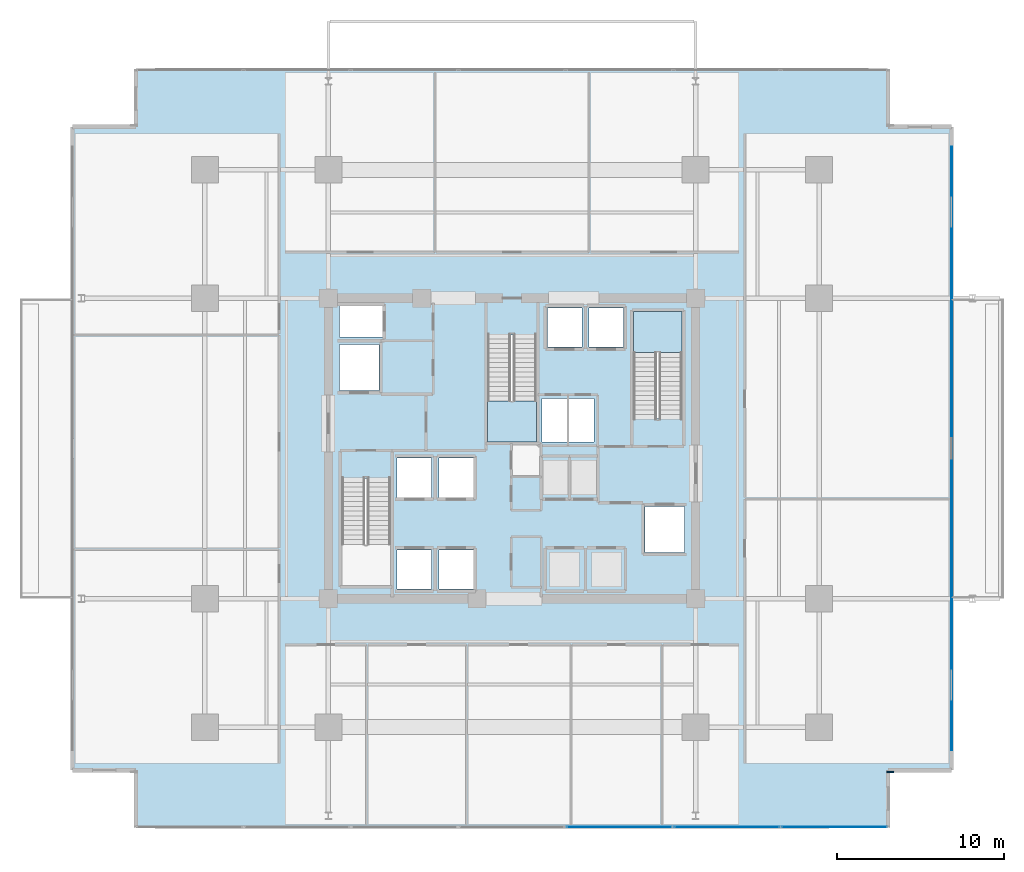
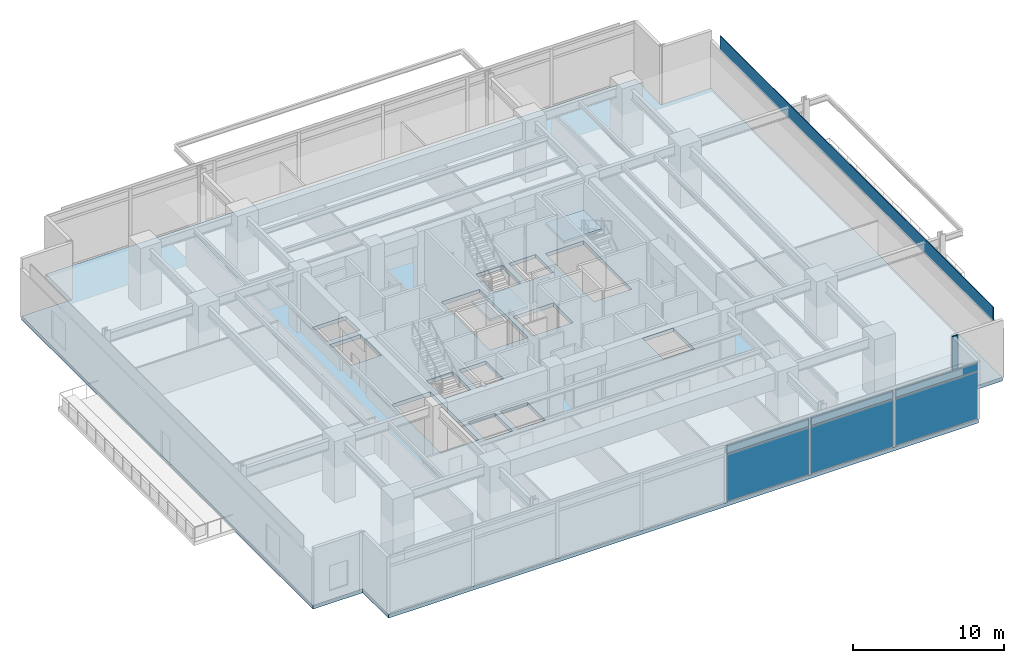
# One storey, part 14 of 24: 8 plates, 3 slabs, 3 elements without a shape of their own.
"""IFC4 building model written with IfcOpenShell, lengths in metres."""

import ifcopenshell
import ifcopenshell.guid

model = None  # the IFC model being written
_history = None  # IfcOwnerHistory: only IFC2X3 demands one
_inside = {}  # id of a spatial element -> (the spatial element, [elements in it])
_under = {}  # id of a project, library or spatial element -> (it, [spatial elements below it])
_declared = {}  # id of a project -> (the project, [libraries it declares])
_typed = {}  # id of a type object -> (the type object, [elements of that type])
_made_of = {}  # id of a material, layer set ... -> (it, [elements and type objects made of it])


def new_model(schema):
    """Start an empty IFC model of exactly this schema.

    Asked for "IFC4X3", IfcOpenShell would pick the latest addendum, in which some entities
    have other attributes; the version numbers below select the first issue.
    IFC2X3 requires an IfcOwnerHistory on every rooted entity: one is made here for all.
    """
    global model, _history
    if schema == "IFC4X3":
        model = ifcopenshell.file(schema_version=(4, 3, 0, 0))
    else:
        model = ifcopenshell.file(schema=schema)
    _inside.clear()
    _under.clear()
    _declared.clear()
    _typed.clear()
    _made_of.clear()
    _history = None
    if model.schema == "IFC2X3":
        org = make("IfcOrganization", Name="unknown")
        user = make(
            "IfcPersonAndOrganization",
            ThePerson=make("IfcPerson", FamilyName="unknown"),
            TheOrganization=org,
        )
        app = make(
            "IfcApplication",
            ApplicationDeveloper=org,
            Version="unknown",
            ApplicationFullName="unknown",
            ApplicationIdentifier="unknown",
        )
        _history = make(
            "IfcOwnerHistory",
            OwningUser=user,
            OwningApplication=app,
            ChangeAction="ADDED",
            CreationDate=0,
        )
    return model


def make(cls, **values):
    """One entity of the class cls with the attributes given. An attribute that is None is left unset."""
    return model.create_entity(
        cls, **{name: value for name, value in values.items() if value is not None}
    )


def rooted(cls, **values):
    """An entity with a GlobalId (a new one), such as an element, a storey or a relation."""
    return make(cls, GlobalId=ifcopenshell.guid.new(), OwnerHistory=_history, **values)


def si_unit(unit_type, name, prefix=None):
    """IfcSIUnit, for example si_unit("LENGTHUNIT", "METRE", prefix="MILLI")."""
    return make("IfcSIUnit", UnitType=unit_type, Prefix=prefix, Name=name)


def assignment(units):
    """IfcUnitAssignment: the units of a project."""
    return None if units is None else make("IfcUnitAssignment", Units=units)


def point(xyz):
    """IfcCartesianPoint."""
    return None if xyz is None else make("IfcCartesianPoint", Coordinates=xyz)


def direction(xyz):
    """IfcDirection."""
    return None if xyz is None else make("IfcDirection", DirectionRatios=xyz)


def frame(location, z_axis=None, x_axis=None):
    """IfcAxis2Placement3D, a coordinate frame: its origin and axes. An axis left out is left unset."""
    return make(
        "IfcAxis2Placement3D",
        Location=point(location),
        Axis=direction(z_axis),
        RefDirection=direction(x_axis),
    )


def frame_2d(location, x_axis=None):
    """IfcAxis2Placement2D, a coordinate frame in the plane: its origin and x axis."""
    return make(
        "IfcAxis2Placement2D", Location=point(location), RefDirection=direction(x_axis)
    )


def origin():
    """The frame at (0, 0, 0) with its axes left unset."""
    return frame((0.0, 0.0, 0.0))


def origin_2d():
    """The frame at (0, 0) in the plane with its x axis left unset."""
    return frame_2d((0.0, 0.0))


def place(relative_to, where):
    """IfcLocalPlacement: puts the frame where relative to a parent placement (None: the world)."""
    return make(
        "IfcLocalPlacement", PlacementRelTo=relative_to, RelativePlacement=where
    )


def context(
    kind, dimensions, precision=None, world=None, true_north=None, identifier=None
):
    """IfcGeometricRepresentationContext, for example the 3D "Model" context."""
    return make(
        "IfcGeometricRepresentationContext",
        ContextIdentifier=identifier,
        ContextType=kind,
        CoordinateSpaceDimension=dimensions,
        Precision=precision,
        WorldCoordinateSystem=world,
        TrueNorth=true_north,
    )


def subcontext(parent, identifier, kind, view, scale=None):
    """IfcGeometricRepresentationSubContext, for example "Body" below "Model"."""
    return make(
        "IfcGeometricRepresentationSubContext",
        ContextIdentifier=identifier,
        ContextType=kind,
        ParentContext=parent,
        TargetScale=scale,
        TargetView=view,
    )


def project(units=None, contexts=None):
    """IfcProject with its units and contexts."""
    return rooted(
        "IfcProject",
        Name="project",
        RepresentationContexts=contexts,
        UnitsInContext=assignment(units),
    )


def spatial(cls, under=None, at=None, **own):
    """A site, building, storey or space (cls), placed at a placement, below another one or the project."""
    s = rooted(cls, ObjectPlacement=at, **own)
    if under is not None:
        _under.setdefault(under.id(), (under, []))[1].append(s)
    return s


def polyline(points):
    """IfcPolyline through the points."""
    return make("IfcPolyline", Points=[point(p) for p in points])


def profile(cls, at=None, kind="AREA", **sizes):
    """A parametric profile (cls). Its sizes go by their IFC names, for example OverallWidth=200.0."""
    return make(cls, ProfileType=kind, Position=at, **sizes)


def rectangle(**sizes):
    """IfcRectangleProfileDef."""
    return profile("IfcRectangleProfileDef", **sizes)


def outline(outer, holes=None, kind="AREA"):
    """IfcArbitraryClosedProfileDef: a profile drawn as a closed curve; with holes, ...WithVoids."""
    if holes is None:
        return make("IfcArbitraryClosedProfileDef", ProfileType=kind, OuterCurve=outer)
    return make(
        "IfcArbitraryProfileDefWithVoids",
        ProfileType=kind,
        OuterCurve=outer,
        InnerCurves=holes,
    )


def extrude(swept, where, along, depth):
    """IfcExtrudedAreaSolid: the profile swept, set in the frame where, extruded along a direction by depth."""
    return make(
        "IfcExtrudedAreaSolid",
        SweptArea=swept,
        Position=where,
        ExtrudedDirection=direction(along),
        Depth=depth,
    )


def shape(context_of_items, identifier, shape_type, items):
    """IfcShapeRepresentation: the items that make up one representation, for example the "Body"."""
    return make(
        "IfcShapeRepresentation",
        ContextOfItems=context_of_items,
        RepresentationIdentifier=identifier,
        RepresentationType=shape_type,
        Items=items,
    )


def material(Name=None, Category=None):
    """IfcMaterial."""
    return make("IfcMaterial", Name=Name, Category=Category)


def layer(
    of_material, thickness, ventilated=None, Name=None, Category=None, Priority=None
):
    """IfcMaterialLayer: one layer of a wall or slab, of a material (None: an air gap)."""
    return make(
        "IfcMaterialLayer",
        Material=of_material,
        LayerThickness=thickness,
        IsVentilated=ventilated,
        Name=Name,
        Category=Category,
        Priority=Priority,
    )


def layer_set(layers, Name=None):
    """IfcMaterialLayerSet."""
    return make("IfcMaterialLayerSet", MaterialLayers=layers, LayerSetName=Name)


def made_of(thing, what):
    """Note that an element or type object is made of a material, layer set ...; save() writes the relation."""
    if what is not None:
        _made_of.setdefault(what.id(), (what, []))[1].append(thing)
    return thing


def type_object(cls, material=None, **own):
    """A type object (cls), such as IfcWallType, which elements share."""
    return made_of(rooted(cls, **own), material)


def element(
    cls,
    number,
    at=None,
    inside=None,
    cuts=None,
    type_object=None,
    material=None,
    context=None,
    identifier="Body",
    shape_type=None,
    held_by="IfcProductDefinitionShape",
    body=None,
    shapes=None,
    **own,
):
    """One element of the class cls, such as IfcWall. Its Tag is "e" and its number.

    at: its placement. inside: the storey or other place that contains it. cuts: it is an
    opening in that element (IfcRelVoidsElement). A single representation is given by context,
    identifier, shape_type and body (its items); several are given by shapes. held_by: the class
    of the entity that holds the representations. save() writes the other relations.
    """
    e = rooted(cls, Tag="e%d" % number, ObjectPlacement=at, **own)
    if body is not None:
        shapes = [shape(context, identifier, shape_type, body)]
    if shapes is not None:
        e.Representation = make(held_by, Representations=shapes)
    if inside is not None:
        _inside.setdefault(inside.id(), (inside, []))[1].append(e)
    if cuts is not None:
        rooted(
            "IfcRelVoidsElement", RelatingBuildingElement=cuts, RelatedOpeningElement=e
        )
    if type_object is not None:
        _typed.setdefault(type_object.id(), (type_object, []))[1].append(e)
    return made_of(e, material)


def aggregate(whole, parts):
    """IfcRelAggregates: a whole, such as a stair, and the parts it consists of."""
    return rooted("IfcRelAggregates", RelatingObject=whole, RelatedObjects=parts)


def save(model, path):
    """Write the relations noted so far, then the file.

    IfcRelAggregates (storeys below a building ...), IfcRelContainedInSpatialStructure (elements
    in a storey), IfcRelDefinesByType, IfcRelAssociatesMaterial and IfcRelDeclares: one each for
    every whole, place, type object, material and project.
    """
    for whole, parts in _under.values():
        aggregate(whole, parts)
    for where, things in _inside.values():
        rooted(
            "IfcRelContainedInSpatialStructure",
            RelatedElements=things,
            RelatingStructure=where,
        )
    for kind, things in _typed.values():
        rooted("IfcRelDefinesByType", RelatedObjects=things, RelatingType=kind)
    for what, things in _made_of.values():
        rooted("IfcRelAssociatesMaterial", RelatedObjects=things, RelatingMaterial=what)
    for by, libraries in _declared.values():
        rooted("IfcRelDeclares", RelatingContext=by, RelatedDefinitions=libraries)
    model.write(path)


model = new_model("IFC4")

# Units and contexts
model_context = context("Model", 3, precision=1e-05, world=origin(), true_north=direction((0.0, 1.0)))
body_context = subcontext(model_context, "Body", "Model", "MODEL_VIEW")
ifc_project = project(units=[si_unit("LENGTHUNIT", "METRE"), si_unit("AREAUNIT", "SQUARE_METRE"), si_unit("VOLUMEUNIT", "CUBIC_METRE"), si_unit("PLANEANGLEUNIT", "RADIAN"), si_unit("MASSUNIT", "GRAM", prefix="KILO")], contexts=[model_context])

# Site, building, storey
site_placement = place(None, origin())
site = spatial("IfcSite", under=ifc_project, at=site_placement, CompositionType="ELEMENT")
building_placement = place(site_placement, origin())
building = spatial("IfcBuilding", under=site, at=building_placement, Name="Kovane Verandah Tower", CompositionType="ELEMENT")
storey_placement = place(building_placement, frame((0.0, 0.0, 118.39990234375)))
storey = spatial("IfcBuildingStorey", under=building, at=storey_placement, Name="L27", CompositionType="ELEMENT", Elevation=118.39990234375)

# Curtain wall, plates
ifc_material_1 = material(Name="Champagne Anodised Aluminium Frame with Low-E Clear Laminated Glass", Category="aluminium")
curtain_wall_type = type_object("IfcCurtainWallType", Name="CW-SYS-03-MID", PredefinedType="NOTDEFINED", material=ifc_material_1)
curtain_wall_placement = place(storey_placement, origin())
curtain_wall = element("IfcCurtainWall", 1, at=curtain_wall_placement, inside=storey, type_object=curtain_wall_type, Name="L27 S Unitised Curtain Wall", PredefinedType="NOTDEFINED")
ifc_material_2 = material(Name="Pale Champagne Anodised Aluminium Insulated Spandrel", Category="aluminium")
ifc_layer_1 = layer(ifc_material_2, 0.0400390625)
ifc_layer_set_1 = layer_set([ifc_layer_1], Name="Pale Champagne Anodised Aluminium Insulated Spandrel")
plate_type_1 = type_object("IfcPlateType", Name="PL-CW-SPD-40", PredefinedType="SHEET", material=ifc_layer_set_1)
plate_1_placement = place(storey_placement, frame((46.43701171875, 4.8291015625, 3.97021484375), z_axis=(0.0, 0.0, 1.0), x_axis=(1.0, 0.0, 0.0)))
plate_1 = element("IfcPlate", 2, at=plate_1_placement, type_object=plate_type_1, Name="L27 S Unitised Curtain Wall Spandrel Panel 5", PredefinedType="SHEET", context=body_context, shape_type="SweptSolid", body=[
    extrude(rectangle(XDim=6.297119140625, YDim=0.0400390625, at=origin_2d()), origin(), (0.0, 0.0, 1.0), 0.639892578125),
])
plate_2_placement = place(storey_placement, frame((52.874267578125, 4.8291015625, 3.97021484375), z_axis=(0.0, 0.0, 1.0), x_axis=(1.0, 0.0, 0.0)))
plate_2 = element("IfcPlate", 3, at=plate_2_placement, type_object=plate_type_1, Name="L27 S Unitised Curtain Wall Spandrel Panel 6", PredefinedType="SHEET", context=body_context, shape_type="SweptSolid", body=[
    extrude(rectangle(XDim=6.297119140625, YDim=0.0400390625, at=origin_2d()), origin(), (0.0, 0.0, 1.0), 0.639892578125),
])
plate_3_placement = place(storey_placement, frame((59.311279296875, 4.8291015625, 3.97021484375), z_axis=(0.0, 0.0, 1.0), x_axis=(1.0, 0.0, 0.0)))
plate_3 = element("IfcPlate", 4, at=plate_3_placement, type_object=plate_type_1, Name="L27 S Unitised Curtain Wall Spandrel Panel 7", PredefinedType="SHEET", context=body_context, shape_type="SweptSolid", body=[
    extrude(rectangle(XDim=6.297119140625, YDim=0.0400390625, at=origin_2d()), origin(), (0.0, 0.0, 1.0), 0.639892578125),
])
ifc_material_3 = material(Name="Clear Low-E Laminated Double Glazing", Category="glass")
ifc_layer_2 = layer(ifc_material_3, 0.031982421875)
ifc_layer_set_2 = layer_set([ifc_layer_2], Name="Clear Low-E Laminated Double Glazing")
plate_type_2 = type_object("IfcPlateType", Name="PL-CW-VIS-32", PredefinedType="CURTAIN_PANEL", material=ifc_layer_set_2)
plate_4_placement = place(storey_placement, frame((46.43701171875, 4.8291015625, 0.10009765625), z_axis=(0.0, 0.0, 1.0), x_axis=(1.0, 0.0, 0.0)))
plate_4 = element("IfcPlate", 5, at=plate_4_placement, type_object=plate_type_2, Name="L27 S Unitised Curtain Wall Vision Panel 5", PredefinedType="CURTAIN_PANEL", context=body_context, shape_type="SweptSolid", body=[
    extrude(rectangle(XDim=6.297119140625, YDim=0.031982421875, at=origin_2d()), origin(), (0.0, 0.0, 1.0), 3.77001953125),
])
plate_5_placement = place(storey_placement, frame((52.874267578125, 4.8291015625, 0.10009765625), z_axis=(0.0, 0.0, 1.0), x_axis=(1.0, 0.0, 0.0)))
plate_5 = element("IfcPlate", 6, at=plate_5_placement, type_object=plate_type_2, Name="L27 S Unitised Curtain Wall Vision Panel 6", PredefinedType="CURTAIN_PANEL", context=body_context, shape_type="SweptSolid", body=[
    extrude(rectangle(XDim=6.297119140625, YDim=0.031982421875, at=origin_2d()), origin(), (0.0, 0.0, 1.0), 3.77001953125),
])
plate_6_placement = place(storey_placement, frame((59.311279296875, 4.8291015625, 0.10009765625), z_axis=(0.0, 0.0, 1.0), x_axis=(1.0, 0.0, 0.0)))
plate_6 = element("IfcPlate", 7, at=plate_6_placement, type_object=plate_type_2, Name="L27 S Unitised Curtain Wall Vision Panel 7", PredefinedType="CURTAIN_PANEL", context=body_context, shape_type="SweptSolid", body=[
    extrude(rectangle(XDim=6.297119140625, YDim=0.031982421875, at=origin_2d()), origin(), (0.0, 0.0, 1.0), 3.77001953125),
])
aggregate(curtain_wall, [plate_4, plate_1, plate_5, plate_2, plate_6, plate_3])

# Plates
ifc_material_4 = material(Name="Timber-Toned Subtropical Aluminium Vertical Blade", Category="wood")
ifc_layer_3 = layer(ifc_material_4, 0.090087890625)
ifc_layer_set_3 = layer_set([ifc_layer_3], Name="Timber-Toned Subtropical Aluminium Vertical Blade")
plate_type_3 = type_object("IfcPlateType", Name="PL-FIN-90", PredefinedType="USERDEFINED", material=ifc_layer_set_3)
plate_7_placement = place(storey_placement, frame((62.64990234375, 8.109130859375, -0.02001953125), z_axis=(0.0, 0.0, 1.0), x_axis=(1.0, 0.0, 0.0)))
element("IfcPlate", 8, at=plate_7_placement, inside=storey, type_object=plate_type_3, Name="L27 SE Timber-Toned Vertical Corner Fin", ObjectType="FIN", PredefinedType="USERDEFINED", context=body_context, shape_type="SweptSolid", body=[
    extrude(rectangle(XDim=0.419921875, YDim=0.090087890625, at=origin_2d()), origin(), (0.0, 0.0, 1.0), 4.760009765625),
])
ifc_material_5 = material(Name="Perforated Pale Champagne Anodised Aluminium Solar Screen", Category="aluminium")
ifc_layer_4 = layer(ifc_material_5, 0.050048828125)
ifc_layer_set_4 = layer_set([ifc_layer_4], Name="Perforated Pale Champagne Anodised Aluminium Solar Screen")
plate_type_4 = type_object("IfcPlateType", Name="PL-SCREEN-50", PredefinedType="USERDEFINED", material=ifc_layer_set_4)
plate_8_placement = place(storey_placement, frame((66.344970703125, 27.5, 3.800048828125), z_axis=(0.0, 0.0, 1.0), x_axis=(0.0, 1.0, 0.0)))
element("IfcPlate", 9, at=plate_8_placement, inside=storey, type_object=plate_type_4, Name="L27 E Perforated Champagne-Gold Solar Screen", ObjectType="SCREEN", PredefinedType="USERDEFINED", context=body_context, shape_type="SweptSolid", body=[
    extrude(rectangle(XDim=36.14208984375, YDim=0.050048828125, at=origin_2d()), origin(), (0.0, 0.0, 1.0), 1.14990234375),
])

# Slab
ifc_material_6 = material(Name="Concrete C60/75", Category="concrete")
ifc_layer_5 = layer(ifc_material_6, 0.300048828125)
ifc_layer_set_5 = layer_set([ifc_layer_5], Name="Concrete C60/75")
slab_type_1 = type_object("IfcSlabType", Name="SL-HVY-300", PredefinedType="FLOOR", material=ifc_layer_set_5)
slab_1_placement = place(storey_placement, frame((0.0, 0.0, -0.2998046875)))
element("IfcSlab", 10, at=slab_1_placement, inside=storey, type_object=slab_type_1, Name="L27 Structural Floor Slab", PredefinedType="FLOOR", context=body_context, shape_type="SweptSolid", body=[
    extrude(outline(polyline([(17.47021484375, 4.8291015625), (62.52978515625, 4.8291015625), (62.52978515625, 8.22900390625), (66.329833984375, 8.22900390625), (66.329833984375, 46.77099609375), (62.52978515625, 46.77099609375), (62.52978515625, 50.1708984375), (17.47021484375, 50.1708984375), (17.47021484375, 46.77099609375), (13.670166015625, 46.77099609375), (13.670166015625, 8.22900390625), (17.47021484375, 8.22900390625), (17.47021484375, 4.8291015625)]), holes=[polyline([(29.800048828125, 19.300048828125), (32.719970703125, 19.300048828125), (32.719970703125, 25.705078125), (29.800048828125, 25.705078125), (29.800048828125, 19.300048828125)]), polyline([(47.280029296875, 29.294921875), (50.199951171875, 29.294921875), (50.199951171875, 35.699951171875), (47.280029296875, 35.699951171875), (47.280029296875, 29.294921875)]), polyline([(38.5400390625, 27.89990234375), (41.4599609375, 27.89990234375), (41.4599609375, 34.304931640625), (38.5400390625, 34.304931640625), (38.5400390625, 27.89990234375)]), polyline([(29.669921875, 30.969970703125), (32.030029296875, 30.969970703125), (32.030029296875, 33.72998046875), (29.669921875, 33.72998046875), (29.669921875, 30.969970703125)]), polyline([(47.969970703125, 21.27001953125), (50.330078125, 21.27001953125), (50.330078125, 24.030029296875), (47.969970703125, 24.030029296875), (47.969970703125, 21.27001953125)]), polyline([(29.669921875, 34.169921875), (32.22998046875, 34.169921875), (32.22998046875, 36.030029296875), (29.669921875, 36.030029296875), (29.669921875, 34.169921875)]), polyline([(33.1201171875, 19.070068359375), (35.179931640625, 19.070068359375), (35.179931640625, 21.429931640625), (33.1201171875, 21.429931640625), (33.1201171875, 19.070068359375)]), polyline([(35.6201171875, 19.070068359375), (37.679931640625, 19.070068359375), (37.679931640625, 21.429931640625), (35.6201171875, 21.429931640625), (35.6201171875, 19.070068359375)]), polyline([(33.1201171875, 24.570068359375), (35.179931640625, 24.570068359375), (35.179931640625, 26.929931640625), (33.1201171875, 26.929931640625), (33.1201171875, 24.570068359375)]), polyline([(35.6201171875, 24.570068359375), (37.679931640625, 24.570068359375), (37.679931640625, 26.929931640625), (35.6201171875, 26.929931640625), (35.6201171875, 24.570068359375)]), polyline([(42.1201171875, 33.570068359375), (44.179931640625, 33.570068359375), (44.179931640625, 35.929931640625), (42.1201171875, 35.929931640625), (42.1201171875, 33.570068359375)]), polyline([(44.6201171875, 33.570068359375), (46.679931640625, 33.570068359375), (46.679931640625, 35.929931640625), (44.6201171875, 35.929931640625), (44.6201171875, 33.570068359375)]), polyline([(41.800048828125, 27.89990234375), (44.89990234375, 27.89990234375), (44.89990234375, 30.5), (41.800048828125, 30.5), (41.800048828125, 27.89990234375)])]), origin(), (0.0, 0.0, 1.0), 0.2998046875),
])

# Stair, slab
ifc_material_7 = material(Name="Concrete C45/55", Category="concrete")
stair_type = type_object("IfcStairType", Name="ST-CORE-1380", PredefinedType="HALF_TURN_STAIR", material=ifc_material_7)
stair_1_placement = place(storey_placement, origin())
stair_1 = element("IfcStair", 11, at=stair_1_placement, inside=storey, type_object=stair_type, Name="L27 Exit Stair ST-02", PredefinedType="HALF_TURN_STAIR")
ifc_layer_6 = layer(ifc_material_7, 0.199951171875)
ifc_layer_set_6 = layer_set([ifc_layer_6], Name="Concrete C45/55")
slab_type_2 = type_object("IfcSlabType", Name="SL-LAND-200", PredefinedType="LANDING", material=ifc_layer_set_6)
slab_2_placement = place(storey_placement, frame((0.0, 0.0, 2.300048828125)))
slab_2 = element("IfcSlab", 12, at=slab_2_placement, type_object=slab_type_2, Name="ST-02 landing 1", PredefinedType="LANDING", context=body_context, shape_type="SweptSolid", body=[
    extrude(outline(polyline([(50.199951171875, 33.239990234375), (50.199951171875, 35.699951171875), (47.280029296875, 35.699951171875), (47.280029296875, 33.239990234375), (50.199951171875, 33.239990234375)])), origin(), (0.0, 0.0, 1.0), 0.199951171875),
])
aggregate(stair_1, [slab_2])

stair_2_placement = place(storey_placement, origin())
stair_2 = element("IfcStair", 13, at=stair_2_placement, inside=storey, type_object=stair_type, Name="L27 Exit Stair ST-03", PredefinedType="HALF_TURN_STAIR")
slab_3_placement = place(storey_placement, frame((0.0, 0.0, 2.300048828125)))
slab_3 = element("IfcSlab", 14, at=slab_3_placement, type_object=slab_type_2, Name="ST-03 landing 1", PredefinedType="LANDING", context=body_context, shape_type="SweptSolid", body=[
    extrude(outline(polyline([(38.5400390625, 30.360107421875), (38.5400390625, 27.89990234375), (41.4599609375, 27.89990234375), (41.4599609375, 30.360107421875), (38.5400390625, 30.360107421875)])), origin(), (0.0, 0.0, 1.0), 0.199951171875),
])
aggregate(stair_2, [slab_3])

save(model, "model.ifc")
